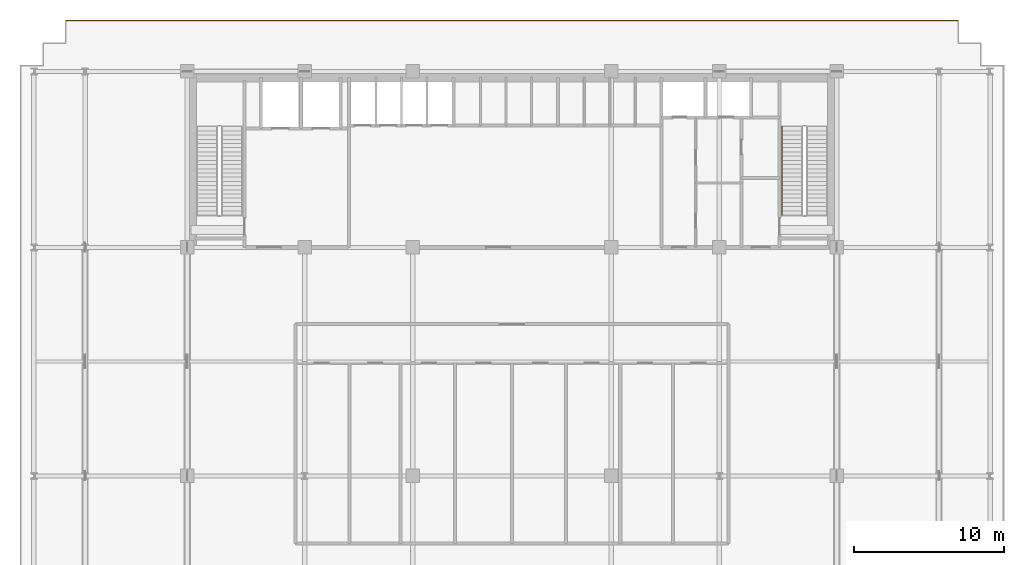
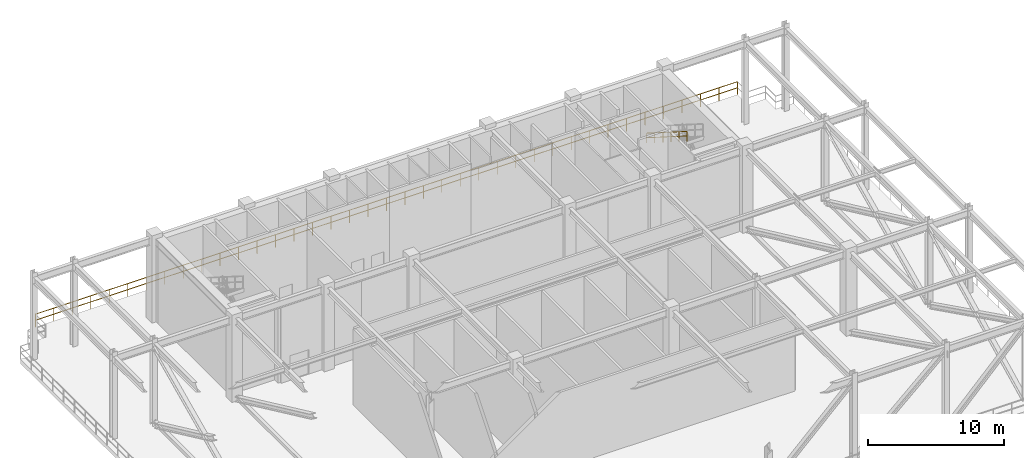
# One storey, part 15 of 16: 2 railings.
"""IFC4 building model written with IfcOpenShell, lengths in metres."""

from ifc_helpers import new_model, si_unit, direction, frame, origin, origin_2d, place, context, subcontext, project, spatial, rectangle, extrude, material, type_object, element, save


model = new_model("IFC4")

# Units and contexts
model_context = context("Model", 3, precision=1e-05, world=origin(), true_north=direction((0.0, 1.0)))
body_context = subcontext(model_context, "Body", "Model", "MODEL_VIEW")
ifc_project = project(units=[si_unit("LENGTHUNIT", "METRE"), si_unit("AREAUNIT", "SQUARE_METRE"), si_unit("VOLUMEUNIT", "CUBIC_METRE"), si_unit("PLANEANGLEUNIT", "RADIAN"), si_unit("MASSUNIT", "GRAM", prefix="KILO")], contexts=[model_context])

# Site, building, storey
site_placement = place(None, origin())
site = spatial("IfcSite", under=ifc_project, at=site_placement, CompositionType="ELEMENT")
building_placement = place(site_placement, origin())
building = spatial("IfcBuilding", under=site, at=building_placement, Name="Trelvane Seafront Commons", CompositionType="ELEMENT")
storey_placement = place(building_placement, frame((0.0, 0.0, 73.89990234375)))
storey = spatial("IfcBuildingStorey", under=building, at=storey_placement, Name="L19", CompositionType="ELEMENT", Elevation=73.89990234375)

# Railings
ifc_material = material(Name="Stainless steel balustrade", Category="steel")
railing_type_1 = type_object("IfcRailingType", Name="ARCH-RAIL-BAL1150", PredefinedType="BALUSTRADE", material=ifc_material)
railing_1_placement = place(storey_placement, frame((66.89990234375, 48.5, 0.0)))
element("IfcRailing", 1, at=railing_1_placement, inside=storey, type_object=railing_type_1, Name="RL-L19-PERIM-11", PredefinedType="BALUSTRADE", context=body_context, shape_type="SweptSolid", body=[
    extrude(rectangle(XDim=0.048095703125, YDim=0.048095703125, at=origin_2d()), frame((0.0, 0.0, 1.15576171875), z_axis=(-1.0, 0.0, 0.0), x_axis=(0.0, -1.0, 0.0)), (0.0, 0.0, 1.0), 59.39990234375),
    extrude(rectangle(XDim=0.048095703125, YDim=0.048095703125, at=origin_2d()), frame((0.0, 0.0, 0.613525390625), z_axis=(-1.0, 0.0, 0.0), x_axis=(0.0, -1.0, 0.0)), (0.0, 0.0, 1.0), 59.39990234375),
    extrude(rectangle(XDim=0.0419921875, YDim=0.0419921875, at=origin_2d()), origin(), (0.0, 0.0, 1.0), 1.15576171875),
    extrude(rectangle(XDim=0.0419921875, YDim=0.0419921875, at=origin_2d()), frame((-1.563232421875, 0.0, 0.0)), (0.0, 0.0, 1.0), 1.15576171875),
    extrude(rectangle(XDim=0.0419921875, YDim=0.0419921875, at=origin_2d()), frame((-3.126220703125, 0.0, 0.0)), (0.0, 0.0, 1.0), 1.15576171875),
    extrude(rectangle(XDim=0.0419921875, YDim=0.0419921875, at=origin_2d()), frame((-4.689453125, 0.0, 0.0)), (0.0, 0.0, 1.0), 1.15576171875),
    extrude(rectangle(XDim=0.0419921875, YDim=0.0419921875, at=origin_2d()), frame((-6.252685546875, 0.0, 0.0)), (0.0, 0.0, 1.0), 1.15576171875),
    extrude(rectangle(XDim=0.0419921875, YDim=0.0419921875, at=origin_2d()), frame((-7.815673828125, 0.0, 0.0)), (0.0, 0.0, 1.0), 1.15576171875),
    extrude(rectangle(XDim=0.0419921875, YDim=0.0419921875, at=origin_2d()), frame((-9.37890625, 0.0, 0.0)), (0.0, 0.0, 1.0), 1.15576171875),
    extrude(rectangle(XDim=0.0419921875, YDim=0.0419921875, at=origin_2d()), frame((-10.942138671875, 0.0, 0.0)), (0.0, 0.0, 1.0), 1.15576171875),
    extrude(rectangle(XDim=0.0419921875, YDim=0.0419921875, at=origin_2d()), frame((-12.505126953125, 0.0, 0.0)), (0.0, 0.0, 1.0), 1.15576171875),
    extrude(rectangle(XDim=0.0419921875, YDim=0.0419921875, at=origin_2d()), frame((-14.068359375, 0.0, 0.0)), (0.0, 0.0, 1.0), 1.15576171875),
    extrude(rectangle(XDim=0.0419921875, YDim=0.0419921875, at=origin_2d()), frame((-15.631591796875, 0.0, 0.0)), (0.0, 0.0, 1.0), 1.15576171875),
    extrude(rectangle(XDim=0.0419921875, YDim=0.0419921875, at=origin_2d()), frame((-17.19482421875, 0.0, 0.0)), (0.0, 0.0, 1.0), 1.15576171875),
    extrude(rectangle(XDim=0.0419921875, YDim=0.0419921875, at=origin_2d()), frame((-18.7578125, 0.0, 0.0)), (0.0, 0.0, 1.0), 1.15576171875),
    extrude(rectangle(XDim=0.0419921875, YDim=0.0419921875, at=origin_2d()), frame((-20.321044921875, 0.0, 0.0)), (0.0, 0.0, 1.0), 1.15576171875),
    extrude(rectangle(XDim=0.0419921875, YDim=0.0419921875, at=origin_2d()), frame((-21.88427734375, 0.0, 0.0)), (0.0, 0.0, 1.0), 1.15576171875),
    extrude(rectangle(XDim=0.0419921875, YDim=0.0419921875, at=origin_2d()), frame((-23.447265625, 0.0, 0.0)), (0.0, 0.0, 1.0), 1.15576171875),
    extrude(rectangle(XDim=0.0419921875, YDim=0.0419921875, at=origin_2d()), frame((-25.010498046875, 0.0, 0.0)), (0.0, 0.0, 1.0), 1.15576171875),
    extrude(rectangle(XDim=0.0419921875, YDim=0.0419921875, at=origin_2d()), frame((-26.57373046875, 0.0, 0.0)), (0.0, 0.0, 1.0), 1.15576171875),
    extrude(rectangle(XDim=0.0419921875, YDim=0.0419921875, at=origin_2d()), frame((-28.13671875, 0.0, 0.0)), (0.0, 0.0, 1.0), 1.15576171875),
    extrude(rectangle(XDim=0.0419921875, YDim=0.0419921875, at=origin_2d()), frame((-29.699951171875, 0.0, 0.0)), (0.0, 0.0, 1.0), 1.15576171875),
    extrude(rectangle(XDim=0.0419921875, YDim=0.0419921875, at=origin_2d()), frame((-31.26318359375, 0.0, 0.0)), (0.0, 0.0, 1.0), 1.15576171875),
    extrude(rectangle(XDim=0.0419921875, YDim=0.0419921875, at=origin_2d()), frame((-32.826171875, 0.0, 0.0)), (0.0, 0.0, 1.0), 1.15576171875),
    extrude(rectangle(XDim=0.0419921875, YDim=0.0419921875, at=origin_2d()), frame((-34.389404296875, 0.0, 0.0)), (0.0, 0.0, 1.0), 1.15576171875),
    extrude(rectangle(XDim=0.0419921875, YDim=0.0419921875, at=origin_2d()), frame((-35.95263671875, 0.0, 0.0)), (0.0, 0.0, 1.0), 1.15576171875),
    extrude(rectangle(XDim=0.0419921875, YDim=0.0419921875, at=origin_2d()), frame((-37.515625, 0.0, 0.0)), (0.0, 0.0, 1.0), 1.15576171875),
    extrude(rectangle(XDim=0.0419921875, YDim=0.0419921875, at=origin_2d()), frame((-39.078857421875, 0.0, 0.0)), (0.0, 0.0, 1.0), 1.15576171875),
    extrude(rectangle(XDim=0.0419921875, YDim=0.0419921875, at=origin_2d()), frame((-40.64208984375, 0.0, 0.0)), (0.0, 0.0, 1.0), 1.15576171875),
    extrude(rectangle(XDim=0.0419921875, YDim=0.0419921875, at=origin_2d()), frame((-42.205078125, 0.0, 0.0)), (0.0, 0.0, 1.0), 1.15576171875),
    extrude(rectangle(XDim=0.0419921875, YDim=0.0419921875, at=origin_2d()), frame((-43.768310546875, 0.0, 0.0)), (0.0, 0.0, 1.0), 1.15576171875),
    extrude(rectangle(XDim=0.0419921875, YDim=0.0419921875, at=origin_2d()), frame((-45.33154296875, 0.0, 0.0)), (0.0, 0.0, 1.0), 1.15576171875),
    extrude(rectangle(XDim=0.0419921875, YDim=0.0419921875, at=origin_2d()), frame((-46.894775390625, 0.0, 0.0)), (0.0, 0.0, 1.0), 1.15576171875),
    extrude(rectangle(XDim=0.0419921875, YDim=0.0419921875, at=origin_2d()), frame((-48.457763671875, 0.0, 0.0)), (0.0, 0.0, 1.0), 1.15576171875),
    extrude(rectangle(XDim=0.0419921875, YDim=0.0419921875, at=origin_2d()), frame((-50.02099609375, 0.0, 0.0)), (0.0, 0.0, 1.0), 1.15576171875),
    extrude(rectangle(XDim=0.0419921875, YDim=0.0419921875, at=origin_2d()), frame((-51.584228515625, 0.0, 0.0)), (0.0, 0.0, 1.0), 1.15576171875),
    extrude(rectangle(XDim=0.0419921875, YDim=0.0419921875, at=origin_2d()), frame((-53.147216796875, 0.0, 0.0)), (0.0, 0.0, 1.0), 1.15576171875),
    extrude(rectangle(XDim=0.0419921875, YDim=0.0419921875, at=origin_2d()), frame((-54.71044921875, 0.0, 0.0)), (0.0, 0.0, 1.0), 1.15576171875),
    extrude(rectangle(XDim=0.0419921875, YDim=0.0419921875, at=origin_2d()), frame((-56.273681640625, 0.0, 0.0)), (0.0, 0.0, 1.0), 1.15576171875),
    extrude(rectangle(XDim=0.0419921875, YDim=0.0419921875, at=origin_2d()), frame((-57.836669921875, 0.0, 0.0)), (0.0, 0.0, 1.0), 1.15576171875),
    extrude(rectangle(XDim=0.0419921875, YDim=0.0419921875, at=origin_2d()), frame((-59.39990234375, 0.0, 0.0)), (0.0, 0.0, 1.0), 1.15576171875),
])
railing_type_2 = type_object("IfcRailingType", Name="ARCH-SRL-HAND", PredefinedType="HANDRAIL", material=ifc_material)
railing_2_placement = place(storey_placement, frame((55.14990234375, 41.429931640625, 4.077392578125)))
element("IfcRailing", 2, at=railing_2_placement, inside=storey, type_object=railing_type_2, Name="L19 ST-2 stair handrail 2", PredefinedType="HANDRAIL", context=body_context, shape_type="SweptSolid", body=[
    extrude(rectangle(XDim=0.048095703125, YDim=0.048095703125, at=origin_2d()), frame((0.0, 0.0, 0.8759765625), z_axis=(0.0, -0.844901525001, 0.534921875652), x_axis=(1.0, 0.0, 0.0)), (0.0, 0.0, 1.0), 6.959228515625),
    extrude(rectangle(XDim=0.048095703125, YDim=0.048095703125, at=origin_2d()), frame((0.0, 0.0, 0.468017578125), z_axis=(0.0, -0.844901525001, 0.534921875652), x_axis=(1.0, 0.0, 0.0)), (0.0, 0.0, 1.0), 6.959228515625),
    extrude(rectangle(XDim=0.0419921875, YDim=0.0419921875, at=origin_2d()), origin(), (0.0, 0.0, 1.0), 0.8759765625),
    extrude(rectangle(XDim=0.0419921875, YDim=0.0419921875, at=origin_2d()), frame((0.0, -1.176025390625, 0.74462890625)), (0.0, 0.0, 1.0), 0.8759765625),
    extrude(rectangle(XDim=0.0419921875, YDim=0.0419921875, at=origin_2d()), frame((0.0, -2.35205078125, 1.489013671875)), (0.0, 0.0, 1.0), 0.8759765625),
    extrude(rectangle(XDim=0.0419921875, YDim=0.0419921875, at=origin_2d()), frame((0.0, -3.52783203125, 2.233642578125)), (0.0, 0.0, 1.0), 0.8759765625),
    extrude(rectangle(XDim=0.0419921875, YDim=0.0419921875, at=origin_2d()), frame((0.0, -4.703857421875, 2.97802734375)), (0.0, 0.0, 1.0), 0.8759765625),
    extrude(rectangle(XDim=0.0419921875, YDim=0.0419921875, at=origin_2d()), frame((0.0, -5.8798828125, 3.72265625)), (0.0, 0.0, 1.0), 0.8759765625),
])

save(model, "model.ifc")
